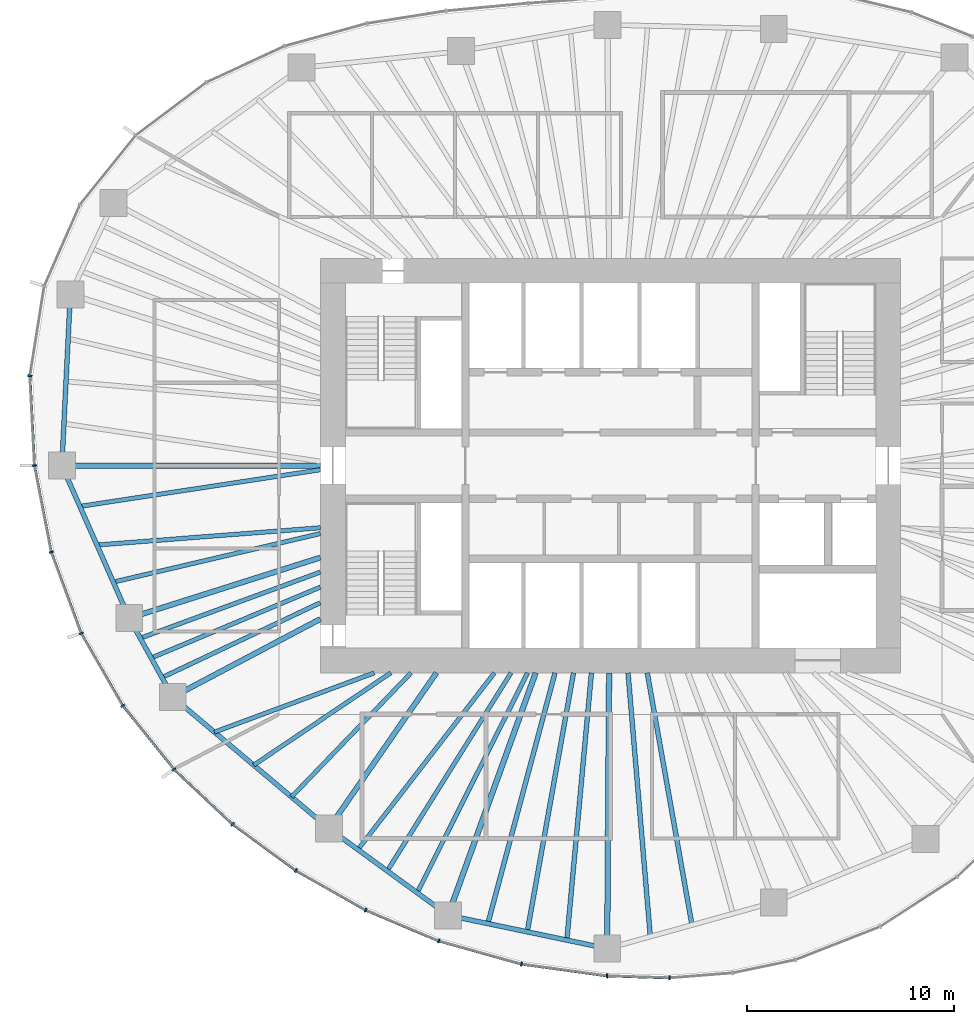
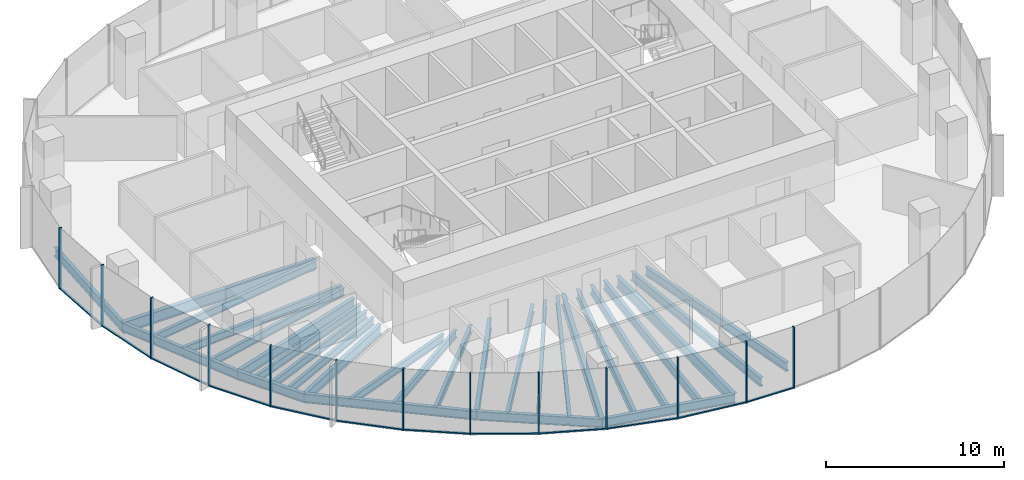
# One storey, part 2 of 12: 29 beams, 25 members, 7 elements without a shape of their own.
"""IFC4 building model written with IfcOpenShell, lengths in metres."""

from ifc_helpers import new_model, si_unit, direction, frame, origin, origin_2d, place, context, subcontext, project, spatial, rectangle, i_section, extrude, material, material_profile, profile_set, type_object, element, aggregate, save


model = new_model("IFC4")

# Units and contexts
model_context = context("Model", 3, precision=1e-05, world=origin(), true_north=direction((0.0, 1.0)))
body_context = subcontext(model_context, "Body", "Model", "MODEL_VIEW")
ifc_project = project(units=[si_unit("LENGTHUNIT", "METRE"), si_unit("AREAUNIT", "SQUARE_METRE"), si_unit("VOLUMEUNIT", "CUBIC_METRE"), si_unit("PLANEANGLEUNIT", "RADIAN"), si_unit("MASSUNIT", "GRAM", prefix="KILO")], contexts=[model_context])

# Site, building, storey
site_placement = place(None, origin())
site = spatial("IfcSite", under=ifc_project, at=site_placement, CompositionType="ELEMENT")
building_placement = place(site_placement, origin())
building = spatial("IfcBuilding", under=site, at=building_placement, Name="Ghaith Harvest Tower", CompositionType="ELEMENT")
storey_placement = place(building_placement, frame((0.0, 0.0, 199.0)))
storey = spatial("IfcBuildingStorey", under=building, at=storey_placement, Name="L43", CompositionType="ELEMENT", Elevation=199.0)

# Curtain wall, member
ifc_material_1 = material(Name="Black anodised aluminium and fritted glass", Category="aluminium")
curtain_wall_type = type_object("IfcCurtainWallType", Name="CW-H CURTAIN WALL", PredefinedType="NOTDEFINED", material=ifc_material_1)
curtain_wall_1_placement = place(storey_placement, origin())
curtain_wall_1 = element("IfcCurtainWall", 1, at=curtain_wall_1_placement, inside=storey, type_object=curtain_wall_type, Name="Curtain wall CW-H bay 10 L43", PredefinedType="NOTDEFINED")
ifc_material_2 = material(Name="Aluminium, black anodised", Category="aluminium")
ifc_material_profile_1 = material_profile(ifc_material_2, rectangle(XDim=0.080078125, YDim=0.199951171875, at=origin_2d()), Name="CW-H MULLION 80x200")
ifc_profile_set_1 = profile_set([ifc_material_profile_1], Name="Aluminium, black anodised")
member_type_1 = type_object("IfcMemberType", Name="CW-H MULLION 80x200", PredefinedType="MULLION", material=ifc_profile_set_1)
member_1_placement = place(storey_placement, frame((-28.015869140625, 4.333251953125, 0.0), z_axis=(0.0, 0.0, 1.0), x_axis=(-0.054116047044, -0.998534653105, 0.0)))
member_1 = element("IfcMember", 2, at=member_1_placement, type_object=member_type_1, Name="CW-H mullion 2 bay 10 L43", PredefinedType="MULLION", context=body_context, shape_type="SweptSolid", body=[
    extrude(rectangle(XDim=0.080078125, YDim=0.199951171875, at=origin_2d()), origin(), (0.0, 0.0, 1.0), 4.199951171875),
])

# Curtain wall, members
curtain_wall_2_placement = place(storey_placement, origin())
curtain_wall_2 = element("IfcCurtainWall", 3, at=curtain_wall_2_placement, inside=storey, type_object=curtain_wall_type, Name="Curtain wall CW-H bay 11 L43", PredefinedType="NOTDEFINED")
member_2_placement = place(storey_placement, frame((-27.794921875, 0.0, 0.0), z_axis=(0.0, 0.0, 1.0), x_axis=(0.12024996575, -0.992743645528, 0.0)))
member_2 = element("IfcMember", 4, at=member_2_placement, type_object=member_type_1, Name="CW-H mullion 1 bay 11 L43", PredefinedType="MULLION", context=body_context, shape_type="SweptSolid", body=[
    extrude(rectangle(XDim=0.080078125, YDim=0.199951171875, at=origin_2d()), origin(), (0.0, 0.0, 1.0), 4.199951171875),
])
member_3_placement = place(storey_placement, frame((-26.9853515625, -4.173828125, 0.0), z_axis=(0.0, 0.0, 1.0), x_axis=(0.268568830903, -0.963260495955, 0.0)))
member_3 = element("IfcMember", 5, at=member_3_placement, type_object=member_type_1, Name="CW-H mullion 2 bay 11 L43", PredefinedType="MULLION", context=body_context, shape_type="SweptSolid", body=[
    extrude(rectangle(XDim=0.080078125, YDim=0.199951171875, at=origin_2d()), origin(), (0.0, 0.0, 1.0), 4.199951171875),
])

curtain_wall_3_placement = place(storey_placement, origin())
curtain_wall_3 = element("IfcCurtainWall", 6, at=curtain_wall_3_placement, inside=storey, type_object=curtain_wall_type, Name="Curtain wall CW-H bay 12 L43", PredefinedType="NOTDEFINED")
member_4_placement = place(storey_placement, frame((-25.538330078125, -8.093505859375, 0.0), z_axis=(0.0, 0.0, 1.0), x_axis=(0.422308650185, -0.906452096903, 0.0)))
member_4 = element("IfcMember", 7, at=member_4_placement, type_object=member_type_1, Name="CW-H mullion 1 bay 12 L43", PredefinedType="MULLION", context=body_context, shape_type="SweptSolid", body=[
    extrude(rectangle(XDim=0.080078125, YDim=0.199951171875, at=origin_2d()), origin(), (0.0, 0.0, 1.0), 4.199951171875),
])
member_5_placement = place(storey_placement, frame((-23.533203125, -11.58349609375, 0.0), z_axis=(0.0, 0.0, 1.0), x_axis=(0.563616546013, -0.826036554312, 0.0)))
member_5 = element("IfcMember", 8, at=member_5_placement, type_object=member_type_1, Name="CW-H mullion 2 bay 12 L43", PredefinedType="MULLION", context=body_context, shape_type="SweptSolid", body=[
    extrude(rectangle(XDim=0.080078125, YDim=0.199951171875, at=origin_2d()), origin(), (0.0, 0.0, 1.0), 4.199951171875),
])

curtain_wall_4_placement = place(storey_placement, origin())
curtain_wall_4 = element("IfcCurtainWall", 9, at=curtain_wall_4_placement, inside=storey, type_object=curtain_wall_type, Name="Curtain wall CW-H bay 13 L43", PredefinedType="NOTDEFINED")
member_6_placement = place(storey_placement, frame((-21.0615234375, -14.65478515625, 0.0), z_axis=(0.0, 0.0, 1.0), x_axis=(0.679181589754, -0.733970277422, 0.0)))
member_6 = element("IfcMember", 10, at=member_6_placement, type_object=member_type_1, Name="CW-H mullion 1 bay 13 L43", PredefinedType="MULLION", context=body_context, shape_type="SweptSolid", body=[
    extrude(rectangle(XDim=0.080078125, YDim=0.199951171875, at=origin_2d()), origin(), (0.0, 0.0, 1.0), 4.199951171875),
])
member_7_placement = place(storey_placement, frame((-18.238037109375, -17.30615234375, 0.0), z_axis=(0.0, 0.0, 1.0), x_axis=(0.769216709506, -0.638987991919, 0.0)))
member_7 = element("IfcMember", 11, at=member_7_placement, type_object=member_type_1, Name="CW-H mullion 2 bay 13 L43", PredefinedType="MULLION", context=body_context, shape_type="SweptSolid", body=[
    extrude(rectangle(XDim=0.080078125, YDim=0.199951171875, at=origin_2d()), origin(), (0.0, 0.0, 1.0), 4.199951171875),
])

curtain_wall_5_placement = place(storey_placement, origin())
curtain_wall_5 = element("IfcCurtainWall", 12, at=curtain_wall_5_placement, inside=storey, type_object=curtain_wall_type, Name="Curtain wall CW-H bay 14 L43", PredefinedType="NOTDEFINED")
member_8_placement = place(storey_placement, frame((-15.177490234375, -19.542724609375, 0.0), z_axis=(0.0, 0.0, 1.0), x_axis=(0.840233591157, -0.5422245958, 0.0)))
member_8 = element("IfcMember", 13, at=member_8_placement, type_object=member_type_1, Name="CW-H mullion 1 bay 14 L43", PredefinedType="MULLION", context=body_context, shape_type="SweptSolid", body=[
    extrude(rectangle(XDim=0.080078125, YDim=0.199951171875, at=origin_2d()), origin(), (0.0, 0.0, 1.0), 4.199951171875),
])
member_9_placement = place(storey_placement, frame((-11.815185546875, -21.45068359375, 0.0), z_axis=(0.0, 0.0, 1.0), x_axis=(0.896852966189, -0.442328788389, 0.0)))
member_9 = element("IfcMember", 14, at=member_9_placement, type_object=member_type_1, Name="CW-H mullion 2 bay 14 L43", PredefinedType="MULLION", context=body_context, shape_type="SweptSolid", body=[
    extrude(rectangle(XDim=0.080078125, YDim=0.199951171875, at=origin_2d()), origin(), (0.0, 0.0, 1.0), 4.199951171875),
])

curtain_wall_6_placement = place(storey_placement, origin())
curtain_wall_6 = element("IfcCurtainWall", 15, at=curtain_wall_6_placement, inside=storey, type_object=curtain_wall_type, Name="Curtain wall CW-H bay 15 L43", PredefinedType="NOTDEFINED")
member_10_placement = place(storey_placement, frame((-8.285888671875, -22.941650390625, 0.0), z_axis=(0.0, 0.0, 1.0), x_axis=(0.944906041636, -0.327341675439, 0.0)))
member_10 = element("IfcMember", 16, at=member_10_placement, type_object=member_type_1, Name="CW-H mullion 1 bay 15 L43", PredefinedType="MULLION", context=body_context, shape_type="SweptSolid", body=[
    extrude(rectangle(XDim=0.080078125, YDim=0.199951171875, at=origin_2d()), origin(), (0.0, 0.0, 1.0), 4.199951171875),
])
member_11_placement = place(storey_placement, frame((-4.2958984375, -24.0556640625, 0.0), z_axis=(0.0, 0.0, 1.0), x_axis=(0.979161388311, -0.203083666601, 0.0)))
member_11 = element("IfcMember", 17, at=member_11_placement, type_object=member_type_1, Name="CW-H mullion 2 bay 15 L43", PredefinedType="MULLION", context=body_context, shape_type="SweptSolid", body=[
    extrude(rectangle(XDim=0.080078125, YDim=0.199951171875, at=origin_2d()), origin(), (0.0, 0.0, 1.0), 4.199951171875),
])

curtain_wall_7_placement = place(storey_placement, origin())
curtain_wall_7 = element("IfcCurtainWall", 18, at=curtain_wall_7_placement, inside=storey, type_object=curtain_wall_type, Name="Curtain wall CW-H bay 16 L43", PredefinedType="NOTDEFINED")
member_12_placement = place(storey_placement, frame((-0.16845703125, -24.625244140625, 0.0), z_axis=(0.0, 0.0, 1.0), x_axis=(0.99568459113, -0.092801912617, 0.0)))
member_12 = element("IfcMember", 19, at=member_12_placement, type_object=member_type_1, Name="CW-H mullion 1 bay 16 L43", PredefinedType="MULLION", context=body_context, shape_type="SweptSolid", body=[
    extrude(rectangle(XDim=0.080078125, YDim=0.199951171875, at=origin_2d()), origin(), (0.0, 0.0, 1.0), 4.199951171875),
])
member_13_placement = place(storey_placement, frame((2.84765625, -24.721435546875, 0.0), z_axis=(0.0, 0.0, 1.0), x_axis=(0.999724413906, 0.02347543907, 0.0)))
member_13 = element("IfcMember", 20, at=member_13_placement, type_object=member_type_1, Name="CW-H mullion 2 bay 16 L43", PredefinedType="MULLION", context=body_context, shape_type="SweptSolid", body=[
    extrude(rectangle(XDim=0.080078125, YDim=0.199951171875, at=origin_2d()), origin(), (0.0, 0.0, 1.0), 4.199951171875),
])

# Member
ifc_material_3 = material(Name="Aluminium, black anodised", Category="aluminium")
ifc_material_profile_2 = material_profile(ifc_material_3, rectangle(XDim=0.1298828125, YDim=0.080078125, at=origin_2d()), Name="CW-H TRANSOM 130x80")
ifc_profile_set_2 = profile_set([ifc_material_profile_2], Name="Aluminium, black anodised")
member_type_2 = type_object("IfcMemberType", Name="CW-H TRANSOM 130x80", PredefinedType="USERDEFINED", material=ifc_profile_set_2)
member_14_placement = place(storey_placement, frame((-28.013671875, 4.293212890625, 0.0400390625), z_axis=(0.05084969311, -0.998706317548, 0.0), x_axis=(0.998706317548, 0.05084969311, 0.0)))
member_14 = element("IfcMember", 21, at=member_14_placement, type_object=member_type_2, Name="CW-H transom 2 bay 10 L43", ObjectType="TRANSOM", PredefinedType="USERDEFINED", context=body_context, shape_type="SweptSolid", body=[
    extrude(rectangle(XDim=0.1298828125, YDim=0.080078125, at=origin_2d()), origin(), (0.0, 0.0, 1.0), 4.2587890625),
])

aggregate(curtain_wall_1, [member_1, member_14])

member_15_placement = place(storey_placement, frame((-27.787353515625, -0.039306640625, 0.0400390625), z_axis=(0.190440428338, -0.981698753821, 0.0), x_axis=(0.981698753821, 0.190440428338, 0.0)))
member_15 = element("IfcMember", 22, at=member_15_placement, type_object=member_type_2, Name="CW-H transom 1 bay 11 L43", ObjectType="TRANSOM", PredefinedType="USERDEFINED", context=body_context, shape_type="SweptSolid", body=[
    extrude(rectangle(XDim=0.1298828125, YDim=0.080078125, at=origin_2d()), origin(), (0.0, 0.0, 1.0), 4.171630859375),
])

member_16_placement = place(storey_placement, frame((-26.971435546875, -4.21142578125, 0.0400390625), z_axis=(0.346287782987, -0.93812833416, 0.0), x_axis=(0.93812833416, 0.346287782987, 0.0)))
member_16 = element("IfcMember", 23, at=member_16_placement, type_object=member_type_2, Name="CW-H transom 2 bay 11 L43", ObjectType="TRANSOM", PredefinedType="USERDEFINED", context=body_context, shape_type="SweptSolid", body=[
    extrude(rectangle(XDim=0.1298828125, YDim=0.080078125, at=origin_2d()), origin(), (0.0, 0.0, 1.0), 4.098388671875),
])

aggregate(curtain_wall_2, [member_2, member_15, member_3, member_16])

member_17_placement = place(storey_placement, frame((-25.5185546875, -8.128173828125, 0.0400390625), z_axis=(0.498176929488, -0.86707539864, 0.0), x_axis=(0.86707539864, 0.498176929488, 0.0)))
member_17 = element("IfcMember", 24, at=member_17_placement, type_object=member_type_2, Name="CW-H transom 1 bay 12 L43", ObjectType="TRANSOM", PredefinedType="USERDEFINED", context=body_context, shape_type="SweptSolid", body=[
    extrude(rectangle(XDim=0.1298828125, YDim=0.080078125, at=origin_2d()), origin(), (0.0, 0.0, 1.0), 3.945068359375),
])

member_18_placement = place(storey_placement, frame((-23.508056640625, -11.61474609375, 0.0400390625), z_axis=(0.626958878139, -0.779052350694, 0.0), x_axis=(0.779052350694, 0.626958878139, 0.0)))
member_18 = element("IfcMember", 25, at=member_18_placement, type_object=member_type_2, Name="CW-H transom 2 bay 12 L43", ObjectType="TRANSOM", PredefinedType="USERDEFINED", context=body_context, shape_type="SweptSolid", body=[
    extrude(rectangle(XDim=0.1298828125, YDim=0.080078125, at=origin_2d()), origin(), (0.0, 0.0, 1.0), 3.862060546875),
])

aggregate(curtain_wall_3, [member_4, member_17, member_5, member_18])

member_19_placement = place(storey_placement, frame((-21.032470703125, -14.68212890625, 0.0400390625), z_axis=(0.729025183709, -0.684486874613, 0.0), x_axis=(0.684486874613, 0.729025183709, 0.0)))
member_19 = element("IfcMember", 26, at=member_19_placement, type_object=member_type_2, Name="CW-H transom 1 bay 13 L43", ObjectType="TRANSOM", PredefinedType="USERDEFINED", context=body_context, shape_type="SweptSolid", body=[
    extrude(rectangle(XDim=0.1298828125, YDim=0.080078125, at=origin_2d()), origin(), (0.0, 0.0, 1.0), 3.793212890625),
])

member_20_placement = place(storey_placement, frame((-18.20556640625, -17.32958984375, 0.0400390625), z_axis=(0.807368217185, -0.590047931849, 0.0), x_axis=(0.590047931849, 0.807368217185, 0.0)))
member_20 = element("IfcMember", 27, at=member_20_placement, type_object=member_type_2, Name="CW-H transom 2 bay 13 L43", ObjectType="TRANSOM", PredefinedType="USERDEFINED", context=body_context, shape_type="SweptSolid", body=[
    extrude(rectangle(XDim=0.1298828125, YDim=0.080078125, at=origin_2d()), origin(), (0.0, 0.0, 1.0), 3.710693359375),
])

aggregate(curtain_wall_4, [member_6, member_19, member_7, member_20])

member_21_placement = place(storey_placement, frame((-15.142822265625, -19.5625, 0.0400390625), z_axis=(0.869735291487, -0.493518513068, 0.0), x_axis=(0.493518513068, 0.869735291487, 0.0)))
member_21 = element("IfcMember", 28, at=member_21_placement, type_object=member_type_2, Name="CW-H transom 1 bay 14 L43", ObjectType="TRANSOM", PredefinedType="USERDEFINED", context=body_context, shape_type="SweptSolid", body=[
    extrude(rectangle(XDim=0.1298828125, YDim=0.080078125, at=origin_2d()), origin(), (0.0, 0.0, 1.0), 3.785888671875),
])

member_22_placement = place(storey_placement, frame((-11.7783203125, -21.46630859375, 0.0400390625), z_axis=(0.921182691948, -0.38913037411, 0.0), x_axis=(0.38913037411, 0.921182691948, 0.0)))
member_22 = element("IfcMember", 29, at=member_22_placement, type_object=member_type_2, Name="CW-H transom 2 bay 14 L43", ObjectType="TRANSOM", PredefinedType="USERDEFINED", context=body_context, shape_type="SweptSolid", body=[
    extrude(rectangle(XDim=0.1298828125, YDim=0.080078125, at=origin_2d()), origin(), (0.0, 0.0, 1.0), 3.751220703125),
])

aggregate(curtain_wall_5, [member_8, member_21, member_9, member_22])

member_23_placement = place(storey_placement, frame((-8.24755859375, -22.952392578125, 0.0400390625), z_axis=(0.963164092269, -0.268914356932, 0.0), x_axis=(0.268914356932, 0.963164092269, 0.0)))
member_23 = element("IfcMember", 30, at=member_23_placement, type_object=member_type_2, Name="CW-H transom 1 bay 15 L43", ObjectType="TRANSOM", PredefinedType="USERDEFINED", context=body_context, shape_type="SweptSolid", body=[
    extrude(rectangle(XDim=0.1298828125, YDim=0.080078125, at=origin_2d()), origin(), (0.0, 0.0, 1.0), 4.062744140625),
])

member_24_placement = place(storey_placement, frame((-4.25634765625, -24.06103515625, 0.0400390625), z_axis=(0.990605228149, -0.136752630555, 0.0), x_axis=(0.136752630555, 0.990605228149, 0.0)))
member_24 = element("IfcMember", 31, at=member_24_placement, type_object=member_type_2, Name="CW-H transom 2 bay 15 L43", ObjectType="TRANSOM", PredefinedType="USERDEFINED", context=body_context, shape_type="SweptSolid", body=[
    extrude(rectangle(XDim=0.1298828125, YDim=0.080078125, at=origin_2d()), origin(), (0.0, 0.0, 1.0), 4.08642578125),
])

aggregate(curtain_wall_6, [member_10, member_23, member_11, member_24])

member_25_placement = place(storey_placement, frame((-0.128662109375, -24.62646484375, 0.0400390625), z_axis=(0.999490770233, -0.031909249731, 0.0), x_axis=(0.031909249731, 0.999490770233, 0.0)))
member_25 = element("IfcMember", 32, at=member_25_placement, type_object=member_type_2, Name="CW-H transom 1 bay 16 L43", ObjectType="TRANSOM", PredefinedType="USERDEFINED", context=body_context, shape_type="SweptSolid", body=[
    extrude(rectangle(XDim=0.1298828125, YDim=0.080078125, at=origin_2d()), origin(), (0.0, 0.0, 1.0), 2.93798828125),
])

aggregate(curtain_wall_7, [member_12, member_25, member_13])

# Beams
ifc_material_4 = material(Name="Steel ASTM A992 Grade 50", Category="steel")
ifc_material_profile_3 = material_profile(ifc_material_4, i_section(OverallWidth=0.22900390625, OverallDepth=0.612060546875, WebThickness=0.011962890625, FlangeThickness=0.01953125, at=origin_2d()), Name="W610X125")
ifc_profile_set_3 = profile_set([ifc_material_profile_3], Name="Steel ASTM A992 Grade 50")
beam_type_1 = type_object("IfcBeamType", Name="E610-125 W610X125", PredefinedType="SPANDREL", material=ifc_profile_set_3)
beam_1_placement = place(storey_placement, frame((-26.06689453125, 8.260986328125, -0.47607421875), z_axis=(-0.049353148492, -0.998781390863, 0.0), x_axis=(0.998781390863, -0.049353148492, 0.0)))
element("IfcBeam", 33, at=beam_1_placement, inside=storey, type_object=beam_type_1, Name="Edge beam E10 L43", PredefinedType="SPANDREL", context=body_context, shape_type="SweptSolid", body=[
    extrude(i_section(OverallWidth=0.22900390625, OverallDepth=0.612060546875, WebThickness=0.011962890625, FlangeThickness=0.01953125, at=origin_2d()), origin(), (0.0, 0.0, 1.0), 8.27099609375),
])
beam_2_placement = place(storey_placement, frame((-26.47509765625, 0.0, -0.47607421875), z_axis=(0.404042817399, -0.914740073304, 0.0), x_axis=(0.914740073304, 0.404042817399, 0.0)))
element("IfcBeam", 34, at=beam_2_placement, inside=storey, type_object=beam_type_1, Name="Edge beam E11 L43", PredefinedType="SPANDREL", context=body_context, shape_type="SweptSolid", body=[
    extrude(i_section(OverallWidth=0.22900390625, OverallDepth=0.612060546875, WebThickness=0.011962890625, FlangeThickness=0.01953125, at=origin_2d()), origin(), (0.0, 0.0, 1.0), 8.046142578125),
])
beam_3_placement = place(storey_placement, frame((-23.22412109375, -7.360107421875, -0.47607421875), z_axis=(0.482955575345, -0.875644855089, 0.0), x_axis=(0.875644855089, 0.482955575345, 0.0)))
element("IfcBeam", 35, at=beam_3_placement, inside=storey, type_object=beam_type_1, Name="Edge beam E12 L43", PredefinedType="SPANDREL", context=body_context, shape_type="SweptSolid", body=[
    extrude(i_section(OverallWidth=0.22900390625, OverallDepth=0.612060546875, WebThickness=0.011962890625, FlangeThickness=0.01953125, at=origin_2d()), origin(), (0.0, 0.0, 1.0), 4.346435546875),
])
beam_4_placement = place(storey_placement, frame((-21.125, -11.166015625, -0.47607421875), z_axis=(0.765021818761, -0.64400436087, 0.0), x_axis=(0.64400436087, 0.765021818761, 0.0)))
element("IfcBeam", 36, at=beam_4_placement, inside=storey, type_object=beam_type_1, Name="Edge beam E13 L43", PredefinedType="SPANDREL", context=body_context, shape_type="SweptSolid", body=[
    extrude(i_section(OverallWidth=0.22900390625, OverallDepth=0.612060546875, WebThickness=0.011962890625, FlangeThickness=0.01953125, at=origin_2d()), origin(), (0.0, 0.0, 1.0), 9.8427734375),
])
beam_5_placement = place(storey_placement, frame((-13.594970703125, -17.5048828125, -0.47607421875), z_axis=(0.808194782503, -0.588915268553, 0.0), x_axis=(0.588915268553, 0.808194782503, 0.0)))
element("IfcBeam", 37, at=beam_5_placement, inside=storey, type_object=beam_type_1, Name="Edge beam E14 L43", PredefinedType="SPANDREL", context=body_context, shape_type="SweptSolid", body=[
    extrude(i_section(OverallWidth=0.22900390625, OverallDepth=0.612060546875, WebThickness=0.011962890625, FlangeThickness=0.01953125, at=origin_2d()), origin(), (0.0, 0.0, 1.0), 7.123291015625),
])
beam_6_placement = place(storey_placement, frame((-7.837890625, -21.699951171875, -0.47607421875), z_axis=(0.978847910797, -0.20458926543, 0.0), x_axis=(0.20458926543, 0.978847910797, 0.0)))
element("IfcBeam", 38, at=beam_6_placement, inside=storey, type_object=beam_type_1, Name="Edge beam E15 L43", PredefinedType="SPANDREL", context=body_context, shape_type="SweptSolid", body=[
    extrude(i_section(OverallWidth=0.22900390625, OverallDepth=0.612060546875, WebThickness=0.011962890625, FlangeThickness=0.01953125, at=origin_2d()), origin(), (0.0, 0.0, 1.0), 7.844970703125),
])
ifc_material_5 = material(Name="Steel ASTM A992 Grade 50", Category="steel")
ifc_material_profile_4 = material_profile(ifc_material_5, i_section(OverallWidth=0.256103515625, OverallDepth=0.693115234375, WebThickness=0.014404296875, FlangeThickness=0.023681640625, at=origin_2d()), Name="W690X170")
ifc_profile_set_4 = profile_set([ifc_material_profile_4], Name="Steel ASTM A992 Grade 50")
beam_type_2 = type_object("IfcBeamType", Name="G690-170 W690X170", PredefinedType="BEAM", material=ifc_profile_set_4)
beam_7_placement = place(storey_placement, frame((-14.0, -4.43701171875, -0.5166015625), z_axis=(-0.953279028151, -0.302091202267, 0.0), x_axis=(0.302091202267, -0.953279028151, 0.0)))
element("IfcBeam", 39, at=beam_7_placement, inside=storey, type_object=beam_type_2, Name="Radial girder G12 L43", PredefinedType="BEAM", context=body_context, shape_type="SweptSolid", body=[
    extrude(i_section(OverallWidth=0.256103515625, OverallDepth=0.693115234375, WebThickness=0.014404296875, FlangeThickness=0.023681640625, at=origin_2d()), origin(), (0.0, 0.0, 1.0), 9.67626953125),
])
beam_8_placement = place(storey_placement, frame((-14.0, -7.39990234375, -0.5166015625), z_axis=(-0.88409279474, -0.46731138472, 0.0), x_axis=(0.46731138472, -0.88409279474, 0.0)))
element("IfcBeam", 40, at=beam_8_placement, inside=storey, type_object=beam_type_2, Name="Radial girder G13 L43", PredefinedType="BEAM", context=body_context, shape_type="SweptSolid", body=[
    extrude(i_section(OverallWidth=0.256103515625, OverallDepth=0.693115234375, WebThickness=0.014404296875, FlangeThickness=0.023681640625, at=origin_2d()), origin(), (0.0, 0.0, 1.0), 8.05908203125),
])
beam_9_placement = place(storey_placement, frame((-8.39990234375, -10.0, -0.5166015625), z_axis=(-0.569164078909, -0.822223966617, 0.0), x_axis=(0.822223966617, -0.569164078909, 0.0)))
element("IfcBeam", 41, at=beam_9_placement, inside=storey, type_object=beam_type_2, Name="Radial girder G14 L43", PredefinedType="BEAM", context=body_context, shape_type="SweptSolid", body=[
    extrude(i_section(OverallWidth=0.256103515625, OverallDepth=0.693115234375, WebThickness=0.014404296875, FlangeThickness=0.023681640625, at=origin_2d()), origin(), (0.0, 0.0, 1.0), 9.12744140625),
])
ifc_material_6 = material(Name="Steel ASTM A992 Grade 50", Category="steel")
ifc_material_profile_5 = material_profile(ifc_material_6, i_section(OverallWidth=0.26806640625, OverallDepth=0.77001953125, WebThickness=0.015625, FlangeThickness=0.025390625, at=origin_2d()), Name="W760X196")
ifc_profile_set_5 = profile_set([ifc_material_profile_5], Name="Steel ASTM A992 Grade 50")
beam_type_3 = type_object("IfcBeamType", Name="G760-196 W760X196", PredefinedType="BEAM", material=ifc_profile_set_5)
beam_10_placement = place(storey_placement, frame((-14.0, 0.0, -0.554931640625), z_axis=(-1.0, 0.0, 0.0), x_axis=(0.0, -1.0, 0.0)))
element("IfcBeam", 42, at=beam_10_placement, inside=storey, type_object=beam_type_3, Name="Radial girder G11 L43", PredefinedType="BEAM", context=body_context, shape_type="SweptSolid", body=[
    extrude(i_section(OverallWidth=0.26806640625, OverallDepth=0.77001953125, WebThickness=0.015625, FlangeThickness=0.025390625, at=origin_2d()), origin(), (0.0, 0.0, 1.0), 12.47509765625),
])
beam_11_placement = place(storey_placement, frame((-3.61181640625, -10.0, -0.554931640625), z_axis=(-0.339722108335, -0.940525857756, 0.0), x_axis=(0.940525857756, -0.339722108335, 0.0)))
element("IfcBeam", 43, at=beam_11_placement, inside=storey, type_object=beam_type_3, Name="Radial girder G15 L43", PredefinedType="BEAM", context=body_context, shape_type="SweptSolid", body=[
    extrude(i_section(OverallWidth=0.26806640625, OverallDepth=0.77001953125, WebThickness=0.015625, FlangeThickness=0.025390625, at=origin_2d()), origin(), (0.0, 0.0, 1.0), 12.439697265625),
])
beam_12_placement = place(storey_placement, frame((-0.068359375, -10.0, -0.554931640625), z_axis=(-0.00680755644, -0.999976828319, 0.0), x_axis=(0.999976828319, -0.00680755644, 0.0)))
element("IfcBeam", 44, at=beam_12_placement, inside=storey, type_object=beam_type_3, Name="Radial girder G16 L43", PredefinedType="BEAM", context=body_context, shape_type="SweptSolid", body=[
    extrude(i_section(OverallWidth=0.26806640625, OverallDepth=0.77001953125, WebThickness=0.015625, FlangeThickness=0.025390625, at=origin_2d()), origin(), (0.0, 0.0, 1.0), 13.30517578125),
])
ifc_material_7 = material(Name="Steel ASTM A992 Grade 50", Category="steel")
ifc_material_profile_6 = material_profile(ifc_material_7, i_section(OverallWidth=0.2109375, OverallDepth=0.5390625, WebThickness=0.01171875, FlangeThickness=0.018798828125, at=origin_2d()), Name="W530X109")
ifc_profile_set_6 = profile_set([ifc_material_profile_6], Name="Steel ASTM A992 Grade 50")
beam_type_4 = type_object("IfcBeamType", Name="J530-109 W530X109", PredefinedType="JOIST", material=ifc_profile_set_6)
beam_13_placement = place(storey_placement, frame((-14.0, -0.199951171875, -0.439453125), z_axis=(-0.988587077715, -0.150650555178, 0.0), x_axis=(0.150650555178, -0.988587077715, 0.0)))
element("IfcBeam", 45, at=beam_13_placement, inside=storey, type_object=beam_type_4, Name="Joist J11.1 L43", PredefinedType="JOIST", context=body_context, shape_type="SweptSolid", body=[
    extrude(i_section(OverallWidth=0.2109375, OverallDepth=0.5390625, WebThickness=0.01171875, FlangeThickness=0.018798828125, at=origin_2d()), origin(), (0.0, 0.0, 1.0), 11.739501953125),
])
beam_14_placement = place(storey_placement, frame((-14.0, -3.0, -0.439453125), z_axis=(-0.997028799301, -0.077029691443, 0.0), x_axis=(0.077029691443, -0.997028799301, 0.0)))
element("IfcBeam", 46, at=beam_14_placement, inside=storey, type_object=beam_type_4, Name="Joist J11.2 L43", PredefinedType="JOIST", context=body_context, shape_type="SweptSolid", body=[
    extrude(i_section(OverallWidth=0.2109375, OverallDepth=0.5390625, WebThickness=0.01171875, FlangeThickness=0.018798828125, at=origin_2d()), origin(), (0.0, 0.0, 1.0), 10.814208984375),
])
beam_15_placement = place(storey_placement, frame((-14.0, -3.280517578125, -0.439453125), z_axis=(-0.97362176086, -0.22816806696, 0.0), x_axis=(0.22816806696, -0.97362176086, 0.0)))
element("IfcBeam", 47, at=beam_15_placement, inside=storey, type_object=beam_type_4, Name="Joist J11.3 L43", PredefinedType="JOIST", context=body_context, shape_type="SweptSolid", body=[
    extrude(i_section(OverallWidth=0.2109375, OverallDepth=0.5390625, WebThickness=0.01171875, FlangeThickness=0.018798828125, at=origin_2d()), origin(), (0.0, 0.0, 1.0), 10.262451171875),
])
beam_16_placement = place(storey_placement, frame((-5.60009765625, -10.0, -0.439453125), z_axis=(-0.611412687895, -0.791311901264, 0.0), x_axis=(0.791311901264, -0.611412687895, 0.0)))
element("IfcBeam", 48, at=beam_16_placement, inside=storey, type_object=beam_type_4, Name="Joist J14.1 L43", PredefinedType="JOIST", context=body_context, shape_type="SweptSolid", body=[
    extrude(i_section(OverallWidth=0.2109375, OverallDepth=0.5390625, WebThickness=0.01171875, FlangeThickness=0.018798828125, at=origin_2d()), origin(), (0.0, 0.0, 1.0), 10.778076171875),
])
beam_17_placement = place(storey_placement, frame((-4.800048828125, -10.0, -0.439453125), z_axis=(-0.529921073682, -0.848046965484, 0.0), x_axis=(0.848046965484, -0.529921073682, 0.0)))
element("IfcBeam", 49, at=beam_17_placement, inside=storey, type_object=beam_type_4, Name="Joist J14.2 L43", PredefinedType="JOIST", context=body_context, shape_type="SweptSolid", body=[
    extrude(i_section(OverallWidth=0.2109375, OverallDepth=0.5390625, WebThickness=0.01171875, FlangeThickness=0.018798828125, at=origin_2d()), origin(), (0.0, 0.0, 1.0), 11.273681640625),
])
beam_18_placement = place(storey_placement, frame((-4.0, -10.0, -0.439453125), z_axis=(-0.448791718068, -0.893636387908, 0.0), x_axis=(0.893636387908, -0.448791718068, 0.0)))
element("IfcBeam", 50, at=beam_18_placement, inside=storey, type_object=beam_type_4, Name="Joist J14.3 L43", PredefinedType="JOIST", context=body_context, shape_type="SweptSolid", body=[
    extrude(i_section(OverallWidth=0.2109375, OverallDepth=0.5390625, WebThickness=0.01171875, FlangeThickness=0.018798828125, at=origin_2d()), origin(), (0.0, 0.0, 1.0), 11.8759765625),
])
ifc_material_8 = material(Name="Steel ASTM A992 Grade 50", Category="steel")
ifc_material_profile_7 = material_profile(ifc_material_8, i_section(OverallWidth=0.208984375, OverallDepth=0.532958984375, WebThickness=0.01025390625, FlangeThickness=0.015625, at=origin_2d()), Name="W530X92")
ifc_profile_set_7 = profile_set([ifc_material_profile_7], Name="Steel ASTM A992 Grade 50")
beam_type_5 = type_object("IfcBeamType", Name="J530-92 W530X92", PredefinedType="JOIST", material=ifc_profile_set_7)
beam_19_placement = place(storey_placement, frame((-14.0, -5.137939453125, -0.4365234375), z_axis=(-0.93877284801, -0.34453670318, 0.0), x_axis=(0.34453670318, -0.93877284801, 0.0)))
element("IfcBeam", 51, at=beam_19_placement, inside=storey, type_object=beam_type_5, Name="Joist J12.1 L43", PredefinedType="JOIST", context=body_context, shape_type="SweptSolid", body=[
    extrude(i_section(OverallWidth=0.208984375, OverallDepth=0.532958984375, WebThickness=0.01025390625, FlangeThickness=0.015625, at=origin_2d()), origin(), (0.0, 0.0, 1.0), 9.25732421875),
])
beam_20_placement = place(storey_placement, frame((-14.0, -5.862548828125, -0.4365234375), z_axis=(-0.922387515293, -0.386265804377, 0.0), x_axis=(0.386265804377, -0.922387515293, 0.0)))
element("IfcBeam", 52, at=beam_20_placement, inside=storey, type_object=beam_type_5, Name="Joist J12.2 L43", PredefinedType="JOIST", context=body_context, shape_type="SweptSolid", body=[
    extrude(i_section(OverallWidth=0.208984375, OverallDepth=0.532958984375, WebThickness=0.01025390625, FlangeThickness=0.015625, at=origin_2d()), origin(), (0.0, 0.0, 1.0), 8.851318359375),
])
beam_21_placement = place(storey_placement, frame((-14.0, -6.614990234375, -0.4365234375), z_axis=(-0.90415786724, -0.427198491462, 0.0), x_axis=(0.427198491462, -0.90415786724, 0.0)))
element("IfcBeam", 53, at=beam_21_placement, inside=storey, type_object=beam_type_5, Name="Joist J12.3 L43", PredefinedType="JOIST", context=body_context, shape_type="SweptSolid", body=[
    extrude(i_section(OverallWidth=0.208984375, OverallDepth=0.532958984375, WebThickness=0.01025390625, FlangeThickness=0.015625, at=origin_2d()), origin(), (0.0, 0.0, 1.0), 8.45361328125),
])
beam_22_placement = place(storey_placement, frame((-11.39990234375, -10.0, -0.4365234375), z_axis=(-0.937594001899, -0.34773191916, 0.0), x_axis=(0.34773191916, -0.937594001899, 0.0)))
element("IfcBeam", 54, at=beam_22_placement, inside=storey, type_object=beam_type_5, Name="Joist J13.1 L43", PredefinedType="JOIST", context=body_context, shape_type="SweptSolid", body=[
    extrude(i_section(OverallWidth=0.208984375, OverallDepth=0.532958984375, WebThickness=0.01025390625, FlangeThickness=0.015625, at=origin_2d()), origin(), (0.0, 0.0, 1.0), 8.225830078125),
])
beam_23_placement = place(storey_placement, frame((-10.60009765625, -10.0, -0.4365234375), z_axis=(-0.829594017544, -0.55836705316, 0.0), x_axis=(0.55836705316, -0.829594017544, 0.0)))
element("IfcBeam", 55, at=beam_23_placement, inside=storey, type_object=beam_type_5, Name="Joist J13.2 L43", PredefinedType="JOIST", context=body_context, shape_type="SweptSolid", body=[
    extrude(i_section(OverallWidth=0.208984375, OverallDepth=0.532958984375, WebThickness=0.01025390625, FlangeThickness=0.015625, at=origin_2d()), origin(), (0.0, 0.0, 1.0), 7.977783203125),
])
beam_24_placement = place(storey_placement, frame((-9.626708984375, -10.0, -0.4365234375), z_axis=(-0.693546892509, -0.720411485119, 0.0), x_axis=(0.720411485119, -0.693546892509, 0.0)))
element("IfcBeam", 56, at=beam_24_placement, inside=storey, type_object=beam_type_5, Name="Joist J13.3 L43", PredefinedType="JOIST", context=body_context, shape_type="SweptSolid", body=[
    extrude(i_section(OverallWidth=0.208984375, OverallDepth=0.532958984375, WebThickness=0.01025390625, FlangeThickness=0.015625, at=origin_2d()), origin(), (0.0, 0.0, 1.0), 8.3154296875),
])
ifc_material_9 = material(Name="Steel ASTM A992 Grade 50", Category="steel")
ifc_material_profile_8 = material_profile(ifc_material_9, i_section(OverallWidth=0.22900390625, OverallDepth=0.612060546875, WebThickness=0.011962890625, FlangeThickness=0.01953125, at=origin_2d()), Name="W610X125")
ifc_profile_set_8 = profile_set([ifc_material_profile_8], Name="Steel ASTM A992 Grade 50")
beam_type_6 = type_object("IfcBeamType", Name="J610-125 W610X125", PredefinedType="JOIST", material=ifc_profile_set_8)
beam_25_placement = place(storey_placement, frame((-2.677978515625, -10.0, -0.47607421875), z_axis=(-0.258683807585, -0.965962052926, 0.0), x_axis=(0.965962052926, -0.258683807585, 0.0)))
element("IfcBeam", 57, at=beam_25_placement, inside=storey, type_object=beam_type_6, Name="Joist J15.1 L43", PredefinedType="JOIST", context=body_context, shape_type="SweptSolid", body=[
    extrude(i_section(OverallWidth=0.22900390625, OverallDepth=0.612060546875, WebThickness=0.011962890625, FlangeThickness=0.01953125, at=origin_2d()), origin(), (0.0, 0.0, 1.0), 12.52783203125),
])
beam_26_placement = place(storey_placement, frame((-1.785888671875, -10.0, -0.47607421875), z_axis=(-0.17579463172, -0.984426862422, 0.0), x_axis=(0.984426862422, -0.17579463172, 0.0)))
element("IfcBeam", 58, at=beam_26_placement, inside=storey, type_object=beam_type_6, Name="Joist J15.2 L43", PredefinedType="JOIST", context=body_context, shape_type="SweptSolid", body=[
    extrude(i_section(OverallWidth=0.22900390625, OverallDepth=0.612060546875, WebThickness=0.011962890625, FlangeThickness=0.01953125, at=origin_2d()), origin(), (0.0, 0.0, 1.0), 12.6962890625),
])
beam_27_placement = place(storey_placement, frame((-0.92041015625, -10.0, -0.47607421875), z_axis=(-0.091645483251, -0.995791697796, 0.0), x_axis=(0.995791697796, -0.091645483251, 0.0)))
element("IfcBeam", 59, at=beam_27_placement, inside=storey, type_object=beam_type_6, Name="Joist J15.3 L43", PredefinedType="JOIST", context=body_context, shape_type="SweptSolid", body=[
    extrude(i_section(OverallWidth=0.22900390625, OverallDepth=0.612060546875, WebThickness=0.011962890625, FlangeThickness=0.01953125, at=origin_2d()), origin(), (0.0, 0.0, 1.0), 12.9521484375),
])
beam_28_placement = place(storey_placement, frame((0.844970703125, -10.0, -0.47607421875), z_axis=(0.084217590158, -0.996447388229, 0.0), x_axis=(0.996447388229, 0.084217590158, 0.0)))
element("IfcBeam", 60, at=beam_28_placement, inside=storey, type_object=beam_type_6, Name="Joist J16.1 L43", PredefinedType="JOIST", context=body_context, shape_type="SweptSolid", body=[
    extrude(i_section(OverallWidth=0.22900390625, OverallDepth=0.612060546875, WebThickness=0.011962890625, FlangeThickness=0.01953125, at=origin_2d()), origin(), (0.0, 0.0, 1.0), 12.772705078125),
])
beam_29_placement = place(storey_placement, frame((1.772705078125, -10.0, -0.47607421875), z_axis=(0.174551600477, -0.984648027861, 0.0), x_axis=(0.984648027861, 0.174551600477, 0.0)))
element("IfcBeam", 61, at=beam_29_placement, inside=storey, type_object=beam_type_6, Name="Joist J16.2 L43", PredefinedType="JOIST", context=body_context, shape_type="SweptSolid", body=[
    extrude(i_section(OverallWidth=0.22900390625, OverallDepth=0.612060546875, WebThickness=0.011962890625, FlangeThickness=0.01953125, at=origin_2d()), origin(), (0.0, 0.0, 1.0), 12.358642578125),
])

save(model, "model.ifc")
